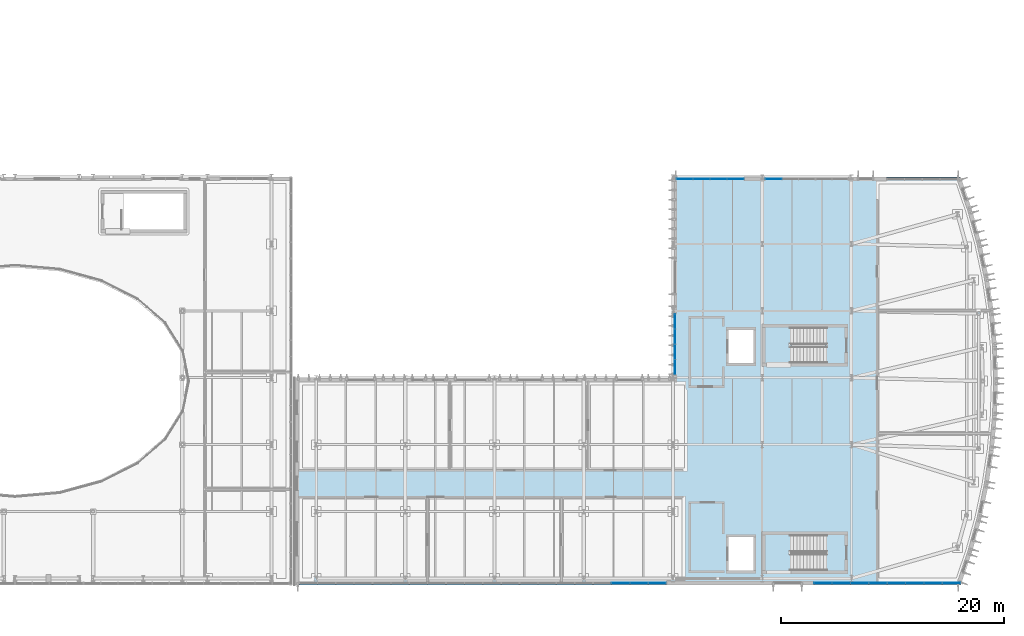
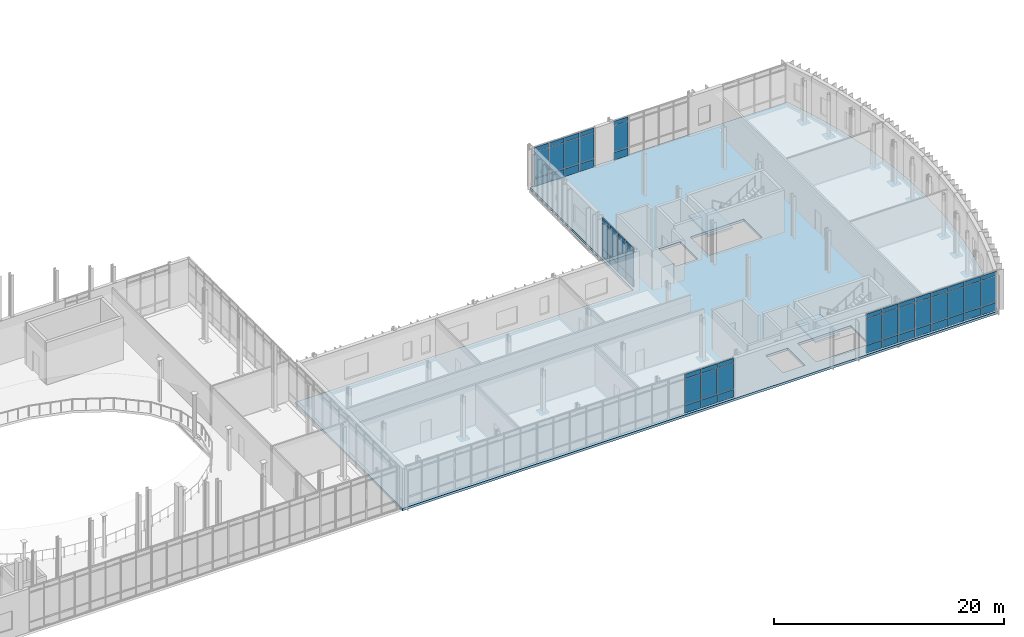
# One storey, part 53 of 86: 60 plates, 3 slabs, 8 elements without a shape of their own.
"""IFC4 building model written with IfcOpenShell, lengths in metres."""

import ifcopenshell
import ifcopenshell.guid

model = None  # the IFC model being written
_history = None  # IfcOwnerHistory: only IFC2X3 demands one
_inside = {}  # id of a spatial element -> (the spatial element, [elements in it])
_under = {}  # id of a project, library or spatial element -> (it, [spatial elements below it])
_declared = {}  # id of a project -> (the project, [libraries it declares])
_typed = {}  # id of a type object -> (the type object, [elements of that type])
_made_of = {}  # id of a material, layer set ... -> (it, [elements and type objects made of it])


def new_model(schema):
    """Start an empty IFC model of exactly this schema.

    Asked for "IFC4X3", IfcOpenShell would pick the latest addendum, in which some entities
    have other attributes; the version numbers below select the first issue.
    IFC2X3 requires an IfcOwnerHistory on every rooted entity: one is made here for all.
    """
    global model, _history
    if schema == "IFC4X3":
        model = ifcopenshell.file(schema_version=(4, 3, 0, 0))
    else:
        model = ifcopenshell.file(schema=schema)
    _inside.clear()
    _under.clear()
    _declared.clear()
    _typed.clear()
    _made_of.clear()
    _history = None
    if model.schema == "IFC2X3":
        org = make("IfcOrganization", Name="unknown")
        user = make(
            "IfcPersonAndOrganization",
            ThePerson=make("IfcPerson", FamilyName="unknown"),
            TheOrganization=org,
        )
        app = make(
            "IfcApplication",
            ApplicationDeveloper=org,
            Version="unknown",
            ApplicationFullName="unknown",
            ApplicationIdentifier="unknown",
        )
        _history = make(
            "IfcOwnerHistory",
            OwningUser=user,
            OwningApplication=app,
            ChangeAction="ADDED",
            CreationDate=0,
        )
    return model


def make(cls, **values):
    """One entity of the class cls with the attributes given. An attribute that is None is left unset."""
    return model.create_entity(
        cls, **{name: value for name, value in values.items() if value is not None}
    )


def rooted(cls, **values):
    """An entity with a GlobalId (a new one), such as an element, a storey or a relation."""
    return make(cls, GlobalId=ifcopenshell.guid.new(), OwnerHistory=_history, **values)


def si_unit(unit_type, name, prefix=None):
    """IfcSIUnit, for example si_unit("LENGTHUNIT", "METRE", prefix="MILLI")."""
    return make("IfcSIUnit", UnitType=unit_type, Prefix=prefix, Name=name)


def assignment(units):
    """IfcUnitAssignment: the units of a project."""
    return None if units is None else make("IfcUnitAssignment", Units=units)


def point(xyz):
    """IfcCartesianPoint."""
    return None if xyz is None else make("IfcCartesianPoint", Coordinates=xyz)


def direction(xyz):
    """IfcDirection."""
    return None if xyz is None else make("IfcDirection", DirectionRatios=xyz)


def frame(location, z_axis=None, x_axis=None):
    """IfcAxis2Placement3D, a coordinate frame: its origin and axes. An axis left out is left unset."""
    return make(
        "IfcAxis2Placement3D",
        Location=point(location),
        Axis=direction(z_axis),
        RefDirection=direction(x_axis),
    )


def frame_2d(location, x_axis=None):
    """IfcAxis2Placement2D, a coordinate frame in the plane: its origin and x axis."""
    return make(
        "IfcAxis2Placement2D", Location=point(location), RefDirection=direction(x_axis)
    )


def origin():
    """The frame at (0, 0, 0) with its axes left unset."""
    return frame((0.0, 0.0, 0.0))


def origin_2d():
    """The frame at (0, 0) in the plane with its x axis left unset."""
    return frame_2d((0.0, 0.0))


def place(relative_to, where):
    """IfcLocalPlacement: puts the frame where relative to a parent placement (None: the world)."""
    return make(
        "IfcLocalPlacement", PlacementRelTo=relative_to, RelativePlacement=where
    )


def context(
    kind, dimensions, precision=None, world=None, true_north=None, identifier=None
):
    """IfcGeometricRepresentationContext, for example the 3D "Model" context."""
    return make(
        "IfcGeometricRepresentationContext",
        ContextIdentifier=identifier,
        ContextType=kind,
        CoordinateSpaceDimension=dimensions,
        Precision=precision,
        WorldCoordinateSystem=world,
        TrueNorth=true_north,
    )


def subcontext(parent, identifier, kind, view, scale=None):
    """IfcGeometricRepresentationSubContext, for example "Body" below "Model"."""
    return make(
        "IfcGeometricRepresentationSubContext",
        ContextIdentifier=identifier,
        ContextType=kind,
        ParentContext=parent,
        TargetScale=scale,
        TargetView=view,
    )


def project(units=None, contexts=None):
    """IfcProject with its units and contexts."""
    return rooted(
        "IfcProject",
        Name="project",
        RepresentationContexts=contexts,
        UnitsInContext=assignment(units),
    )


def spatial(cls, under=None, at=None, **own):
    """A site, building, storey or space (cls), placed at a placement, below another one or the project."""
    s = rooted(cls, ObjectPlacement=at, **own)
    if under is not None:
        _under.setdefault(under.id(), (under, []))[1].append(s)
    return s


def polyline(points):
    """IfcPolyline through the points."""
    return make("IfcPolyline", Points=[point(p) for p in points])


def profile(cls, at=None, kind="AREA", **sizes):
    """A parametric profile (cls). Its sizes go by their IFC names, for example OverallWidth=200.0."""
    return make(cls, ProfileType=kind, Position=at, **sizes)


def rectangle(**sizes):
    """IfcRectangleProfileDef."""
    return profile("IfcRectangleProfileDef", **sizes)


def outline(outer, holes=None, kind="AREA"):
    """IfcArbitraryClosedProfileDef: a profile drawn as a closed curve; with holes, ...WithVoids."""
    if holes is None:
        return make("IfcArbitraryClosedProfileDef", ProfileType=kind, OuterCurve=outer)
    return make(
        "IfcArbitraryProfileDefWithVoids",
        ProfileType=kind,
        OuterCurve=outer,
        InnerCurves=holes,
    )


def extrude(swept, where, along, depth):
    """IfcExtrudedAreaSolid: the profile swept, set in the frame where, extruded along a direction by depth."""
    return make(
        "IfcExtrudedAreaSolid",
        SweptArea=swept,
        Position=where,
        ExtrudedDirection=direction(along),
        Depth=depth,
    )


def shape(context_of_items, identifier, shape_type, items):
    """IfcShapeRepresentation: the items that make up one representation, for example the "Body"."""
    return make(
        "IfcShapeRepresentation",
        ContextOfItems=context_of_items,
        RepresentationIdentifier=identifier,
        RepresentationType=shape_type,
        Items=items,
    )


def material(Name=None, Category=None):
    """IfcMaterial."""
    return make("IfcMaterial", Name=Name, Category=Category)


def layer(
    of_material, thickness, ventilated=None, Name=None, Category=None, Priority=None
):
    """IfcMaterialLayer: one layer of a wall or slab, of a material (None: an air gap)."""
    return make(
        "IfcMaterialLayer",
        Material=of_material,
        LayerThickness=thickness,
        IsVentilated=ventilated,
        Name=Name,
        Category=Category,
        Priority=Priority,
    )


def layer_set(layers, Name=None):
    """IfcMaterialLayerSet."""
    return make("IfcMaterialLayerSet", MaterialLayers=layers, LayerSetName=Name)


def made_of(thing, what):
    """Note that an element or type object is made of a material, layer set ...; save() writes the relation."""
    if what is not None:
        _made_of.setdefault(what.id(), (what, []))[1].append(thing)
    return thing


def type_object(cls, material=None, **own):
    """A type object (cls), such as IfcWallType, which elements share."""
    return made_of(rooted(cls, **own), material)


def element(
    cls,
    number,
    at=None,
    inside=None,
    cuts=None,
    type_object=None,
    material=None,
    context=None,
    identifier="Body",
    shape_type=None,
    held_by="IfcProductDefinitionShape",
    body=None,
    shapes=None,
    **own,
):
    """One element of the class cls, such as IfcWall. Its Tag is "e" and its number.

    at: its placement. inside: the storey or other place that contains it. cuts: it is an
    opening in that element (IfcRelVoidsElement). A single representation is given by context,
    identifier, shape_type and body (its items); several are given by shapes. held_by: the class
    of the entity that holds the representations. save() writes the other relations.
    """
    e = rooted(cls, Tag="e%d" % number, ObjectPlacement=at, **own)
    if body is not None:
        shapes = [shape(context, identifier, shape_type, body)]
    if shapes is not None:
        e.Representation = make(held_by, Representations=shapes)
    if inside is not None:
        _inside.setdefault(inside.id(), (inside, []))[1].append(e)
    if cuts is not None:
        rooted(
            "IfcRelVoidsElement", RelatingBuildingElement=cuts, RelatedOpeningElement=e
        )
    if type_object is not None:
        _typed.setdefault(type_object.id(), (type_object, []))[1].append(e)
    return made_of(e, material)


def aggregate(whole, parts):
    """IfcRelAggregates: a whole, such as a stair, and the parts it consists of."""
    return rooted("IfcRelAggregates", RelatingObject=whole, RelatedObjects=parts)


def save(model, path):
    """Write the relations noted so far, then the file.

    IfcRelAggregates (storeys below a building ...), IfcRelContainedInSpatialStructure (elements
    in a storey), IfcRelDefinesByType, IfcRelAssociatesMaterial and IfcRelDeclares: one each for
    every whole, place, type object, material and project.
    """
    for whole, parts in _under.values():
        aggregate(whole, parts)
    for where, things in _inside.values():
        rooted(
            "IfcRelContainedInSpatialStructure",
            RelatedElements=things,
            RelatingStructure=where,
        )
    for kind, things in _typed.values():
        rooted("IfcRelDefinesByType", RelatedObjects=things, RelatingType=kind)
    for what, things in _made_of.values():
        rooted("IfcRelAssociatesMaterial", RelatedObjects=things, RelatingMaterial=what)
    for by, libraries in _declared.values():
        rooted("IfcRelDeclares", RelatingContext=by, RelatedDefinitions=libraries)
    model.write(path)


model = new_model("IFC4")

# Units and contexts
model_context = context("Model", 3, precision=1e-05, world=origin(), true_north=direction((0.0, 1.0)))
body_context = subcontext(model_context, "Body", "Model", "MODEL_VIEW")
ifc_project = project(units=[si_unit("LENGTHUNIT", "METRE"), si_unit("AREAUNIT", "SQUARE_METRE"), si_unit("VOLUMEUNIT", "CUBIC_METRE"), si_unit("PLANEANGLEUNIT", "RADIAN"), si_unit("MASSUNIT", "GRAM", prefix="KILO")], contexts=[model_context])

# Site, building, storey
site_placement = place(None, origin())
site = spatial("IfcSite", under=ifc_project, at=site_placement, CompositionType="ELEMENT")
building_placement = place(site_placement, origin())
building = spatial("IfcBuilding", under=site, at=building_placement, Name="Cymarion Research Institute", CompositionType="ELEMENT")
storey_placement = place(building_placement, frame((0.0, 0.0, 13.800048828125)))
storey = spatial("IfcBuildingStorey", under=building, at=storey_placement, Name="L03", CompositionType="ELEMENT", Elevation=13.800048828125)

# Slab
ifc_material_1 = material(Name="Concrete C35/45", Category="concrete")
ifc_layer_1 = layer(ifc_material_1, 0.25)
ifc_layer_set_1 = layer_set([ifc_layer_1], Name="Concrete C35/45")
slab_type_1 = type_object("IfcSlabType", Name="COMPOSITE FLOOR SLAB SL-FL250 250MM", PredefinedType="FLOOR", material=ifc_layer_set_1)
slab_1_placement = place(storey_placement, frame((0.0, 0.0, -0.25)))
element("IfcSlab", 1, at=slab_1_placement, inside=storey, type_object=slab_type_1, Name="L03 V1 floor slab", PredefinedType="FLOOR", context=body_context, shape_type="SweptSolid", body=[
    extrude(outline(polyline([(104.699951171875, 4.89990234375), (164.39990234375, 4.89990234375), (165.40869140625, 7.848388671875), (166.2392578125, 10.85205078125), (166.88818359375, 13.900146484375), (167.353271484375, 16.9814453125), (167.633056640625, 20.085205078125), (167.7265625, 23.199951171875), (167.633056640625, 26.31494140625), (167.353271484375, 29.418701171875), (166.88818359375, 32.5), (166.2392578125, 35.5478515625), (165.40869140625, 38.551513671875), (164.39990234375, 41.5), (138.60009765625, 41.5), (138.60009765625, 23.5), (104.699951171875, 23.5), (104.699951171875, 4.89990234375)]), holes=[polyline([(152.260009765625, 9.39990234375), (146.89990234375, 9.39990234375), (146.89990234375, 6.199951171875), (152.260009765625, 6.199951171875), (152.260009765625, 9.39990234375)]), polyline([(143.60009765625, 6.199951171875), (145.800048828125, 6.199951171875), (145.800048828125, 9.199951171875), (143.60009765625, 9.199951171875), (143.60009765625, 6.199951171875)]), polyline([(152.260009765625, 28.0), (146.89990234375, 28.0), (146.89990234375, 24.800048828125), (152.260009765625, 24.800048828125), (152.260009765625, 28.0)]), polyline([(143.60009765625, 24.800048828125), (145.800048828125, 24.800048828125), (145.800048828125, 27.800048828125), (143.60009765625, 27.800048828125), (143.60009765625, 24.800048828125)])]), origin(), (0.0, 0.0, 1.0), 0.25),
])

# Curtain wall, plates
ifc_material_2 = material(Name="Anodised aluminium unitised curtain wall with Low-E glazing", Category="aluminium")
curtain_wall_type_1 = type_object("IfcCurtainWallType", Name="UNITISED CURTAIN WALL CW26 6590X4240", PredefinedType="NOTDEFINED", material=ifc_material_2)
curtain_wall_1_placement = place(storey_placement, origin())
curtain_wall_1 = element("IfcCurtainWall", 2, at=curtain_wall_1_placement, inside=storey, type_object=curtain_wall_type_1, Name="L03 V1 unitised curtain wall CW26 #123", PredefinedType="NOTDEFINED")
ifc_material_3 = material(Name="Insulated anodised aluminium spandrel panel", Category="aluminium")
ifc_layer_2 = layer(ifc_material_3, 0.06005859375)
ifc_layer_set_2 = layer_set([ifc_layer_2], Name="Insulated anodised aluminium spandrel panel")
plate_type_1 = type_object("IfcPlateType", Name="INSULATED ALUMINIUM SPANDREL PANEL SP01 60MM", PredefinedType="SHEET", material=ifc_layer_set_2)
plate_1_placement = place(storey_placement, frame((133.90673828125, 5.090087890625, 0.059814453125), z_axis=(0.0, 0.0, 1.0), x_axis=(1.0, 0.0, 0.0)))
plate_1 = element("IfcPlate", 3, at=plate_1_placement, type_object=plate_type_1, Name="CW26 panel 2.1", PredefinedType="SHEET", context=body_context, shape_type="SweptSolid", body=[
    extrude(rectangle(XDim=1.58837890625, YDim=0.06005859375, at=origin_2d()), origin(), (0.0, 0.0, 1.0), 0.81005859375),
])
plate_2_placement = place(storey_placement, frame((133.90673828125, 5.090087890625, 3.719970703125), z_axis=(0.0, 0.0, 1.0), x_axis=(1.0, 0.0, 0.0)))
plate_2 = element("IfcPlate", 4, at=plate_2_placement, type_object=plate_type_1, Name="CW26 panel 2.3", PredefinedType="SHEET", context=body_context, shape_type="SweptSolid", body=[
    extrude(rectangle(XDim=1.58837890625, YDim=0.06005859375, at=origin_2d()), origin(), (0.0, 0.0, 1.0), 0.4599609375),
])
plate_3_placement = place(storey_placement, frame((135.55517578125, 5.090087890625, 0.059814453125), z_axis=(0.0, 0.0, 1.0), x_axis=(1.0, 0.0, 0.0)))
plate_3 = element("IfcPlate", 5, at=plate_3_placement, type_object=plate_type_1, Name="CW26 panel 3.1", PredefinedType="SHEET", context=body_context, shape_type="SweptSolid", body=[
    extrude(rectangle(XDim=1.58837890625, YDim=0.06005859375, at=origin_2d()), origin(), (0.0, 0.0, 1.0), 0.81005859375),
])
plate_4_placement = place(storey_placement, frame((135.55517578125, 5.090087890625, 3.719970703125), z_axis=(0.0, 0.0, 1.0), x_axis=(1.0, 0.0, 0.0)))
plate_4 = element("IfcPlate", 6, at=plate_4_placement, type_object=plate_type_1, Name="CW26 panel 3.3", PredefinedType="SHEET", context=body_context, shape_type="SweptSolid", body=[
    extrude(rectangle(XDim=1.58837890625, YDim=0.06005859375, at=origin_2d()), origin(), (0.0, 0.0, 1.0), 0.4599609375),
])
plate_5_placement = place(storey_placement, frame((137.1884765625, 5.090087890625, 0.059814453125), z_axis=(0.0, 0.0, 1.0), x_axis=(1.0, 0.0, 0.0)))
plate_5 = element("IfcPlate", 7, at=plate_5_placement, type_object=plate_type_1, Name="CW26 panel 4.1", PredefinedType="SHEET", context=body_context, shape_type="SweptSolid", body=[
    extrude(rectangle(XDim=1.558349609375, YDim=0.06005859375, at=origin_2d()), origin(), (0.0, 0.0, 1.0), 0.81005859375),
])
plate_6_placement = place(storey_placement, frame((137.1884765625, 5.090087890625, 3.719970703125), z_axis=(0.0, 0.0, 1.0), x_axis=(1.0, 0.0, 0.0)))
plate_6 = element("IfcPlate", 8, at=plate_6_placement, type_object=plate_type_1, Name="CW26 panel 4.3", PredefinedType="SHEET", context=body_context, shape_type="SweptSolid", body=[
    extrude(rectangle(XDim=1.558349609375, YDim=0.06005859375, at=origin_2d()), origin(), (0.0, 0.0, 1.0), 0.4599609375),
])

curtain_wall_2_placement = place(storey_placement, origin())
curtain_wall_2 = element("IfcCurtainWall", 9, at=curtain_wall_2_placement, inside=storey, type_object=curtain_wall_type_1, Name="L03 V1 unitised curtain wall CW26 #124", PredefinedType="NOTDEFINED")
plate_7_placement = place(storey_placement, frame((152.052978515625, 5.090087890625, 0.059814453125), z_axis=(0.0, 0.0, 1.0), x_axis=(1.0, 0.0, 0.0)))
plate_7 = element("IfcPlate", 10, at=plate_7_placement, type_object=plate_type_1, Name="CW26 panel 1.1", PredefinedType="SHEET", context=body_context, shape_type="SweptSolid", body=[
    extrude(rectangle(XDim=1.558349609375, YDim=0.06005859375, at=origin_2d()), origin(), (0.0, 0.0, 1.0), 0.81005859375),
])
plate_8_placement = place(storey_placement, frame((152.052978515625, 5.090087890625, 3.719970703125), z_axis=(0.0, 0.0, 1.0), x_axis=(1.0, 0.0, 0.0)))
plate_8 = element("IfcPlate", 11, at=plate_8_placement, type_object=plate_type_1, Name="CW26 panel 1.3", PredefinedType="SHEET", context=body_context, shape_type="SweptSolid", body=[
    extrude(rectangle(XDim=1.558349609375, YDim=0.06005859375, at=origin_2d()), origin(), (0.0, 0.0, 1.0), 0.4599609375),
])
plate_9_placement = place(storey_placement, frame((153.686279296875, 5.090087890625, 0.059814453125), z_axis=(0.0, 0.0, 1.0), x_axis=(1.0, 0.0, 0.0)))
plate_9 = element("IfcPlate", 12, at=plate_9_placement, type_object=plate_type_1, Name="CW26 panel 2.1", PredefinedType="SHEET", context=body_context, shape_type="SweptSolid", body=[
    extrude(rectangle(XDim=1.58837890625, YDim=0.06005859375, at=origin_2d()), origin(), (0.0, 0.0, 1.0), 0.81005859375),
])
plate_10_placement = place(storey_placement, frame((153.686279296875, 5.090087890625, 3.719970703125), z_axis=(0.0, 0.0, 1.0), x_axis=(1.0, 0.0, 0.0)))
plate_10 = element("IfcPlate", 13, at=plate_10_placement, type_object=plate_type_1, Name="CW26 panel 2.3", PredefinedType="SHEET", context=body_context, shape_type="SweptSolid", body=[
    extrude(rectangle(XDim=1.58837890625, YDim=0.06005859375, at=origin_2d()), origin(), (0.0, 0.0, 1.0), 0.4599609375),
])
plate_11_placement = place(storey_placement, frame((155.33447265625, 5.090087890625, 0.059814453125), z_axis=(0.0, 0.0, 1.0), x_axis=(1.0, 0.0, 0.0)))
plate_11 = element("IfcPlate", 14, at=plate_11_placement, type_object=plate_type_1, Name="CW26 panel 3.1", PredefinedType="SHEET", context=body_context, shape_type="SweptSolid", body=[
    extrude(rectangle(XDim=1.58837890625, YDim=0.06005859375, at=origin_2d()), origin(), (0.0, 0.0, 1.0), 0.81005859375),
])
plate_12_placement = place(storey_placement, frame((155.33447265625, 5.090087890625, 3.719970703125), z_axis=(0.0, 0.0, 1.0), x_axis=(1.0, 0.0, 0.0)))
plate_12 = element("IfcPlate", 15, at=plate_12_placement, type_object=plate_type_1, Name="CW26 panel 3.3", PredefinedType="SHEET", context=body_context, shape_type="SweptSolid", body=[
    extrude(rectangle(XDim=1.58837890625, YDim=0.06005859375, at=origin_2d()), origin(), (0.0, 0.0, 1.0), 0.4599609375),
])
plate_13_placement = place(storey_placement, frame((156.9677734375, 5.090087890625, 0.059814453125), z_axis=(0.0, 0.0, 1.0), x_axis=(1.0, 0.0, 0.0)))
plate_13 = element("IfcPlate", 16, at=plate_13_placement, type_object=plate_type_1, Name="CW26 panel 4.1", PredefinedType="SHEET", context=body_context, shape_type="SweptSolid", body=[
    extrude(rectangle(XDim=1.558349609375, YDim=0.06005859375, at=origin_2d()), origin(), (0.0, 0.0, 1.0), 0.81005859375),
])
plate_14_placement = place(storey_placement, frame((156.9677734375, 5.090087890625, 3.719970703125), z_axis=(0.0, 0.0, 1.0), x_axis=(1.0, 0.0, 0.0)))
plate_14 = element("IfcPlate", 17, at=plate_14_placement, type_object=plate_type_1, Name="CW26 panel 4.3", PredefinedType="SHEET", context=body_context, shape_type="SweptSolid", body=[
    extrude(rectangle(XDim=1.558349609375, YDim=0.06005859375, at=origin_2d()), origin(), (0.0, 0.0, 1.0), 0.4599609375),
])

curtain_wall_3_placement = place(storey_placement, origin())
curtain_wall_3 = element("IfcCurtainWall", 18, at=curtain_wall_3_placement, inside=storey, type_object=curtain_wall_type_1, Name="L03 V1 unitised curtain wall CW26 #125", PredefinedType="NOTDEFINED")
plate_15_placement = place(storey_placement, frame((158.64599609375, 5.090087890625, 0.059814453125), z_axis=(0.0, 0.0, 1.0), x_axis=(1.0, 0.0, 0.0)))
plate_15 = element("IfcPlate", 19, at=plate_15_placement, type_object=plate_type_1, Name="CW26 panel 1.1", PredefinedType="SHEET", context=body_context, shape_type="SweptSolid", body=[
    extrude(rectangle(XDim=1.558349609375, YDim=0.06005859375, at=origin_2d()), origin(), (0.0, 0.0, 1.0), 0.81005859375),
])
plate_16_placement = place(storey_placement, frame((158.64599609375, 5.090087890625, 3.719970703125), z_axis=(0.0, 0.0, 1.0), x_axis=(1.0, 0.0, 0.0)))
plate_16 = element("IfcPlate", 20, at=plate_16_placement, type_object=plate_type_1, Name="CW26 panel 1.3", PredefinedType="SHEET", context=body_context, shape_type="SweptSolid", body=[
    extrude(rectangle(XDim=1.558349609375, YDim=0.06005859375, at=origin_2d()), origin(), (0.0, 0.0, 1.0), 0.4599609375),
])
plate_17_placement = place(storey_placement, frame((160.279296875, 5.090087890625, 0.059814453125), z_axis=(0.0, 0.0, 1.0), x_axis=(1.0, 0.0, 0.0)))
plate_17 = element("IfcPlate", 21, at=plate_17_placement, type_object=plate_type_1, Name="CW26 panel 2.1", PredefinedType="SHEET", context=body_context, shape_type="SweptSolid", body=[
    extrude(rectangle(XDim=1.58837890625, YDim=0.06005859375, at=origin_2d()), origin(), (0.0, 0.0, 1.0), 0.81005859375),
])
plate_18_placement = place(storey_placement, frame((160.279296875, 5.090087890625, 3.719970703125), z_axis=(0.0, 0.0, 1.0), x_axis=(1.0, 0.0, 0.0)))
plate_18 = element("IfcPlate", 22, at=plate_18_placement, type_object=plate_type_1, Name="CW26 panel 2.3", PredefinedType="SHEET", context=body_context, shape_type="SweptSolid", body=[
    extrude(rectangle(XDim=1.58837890625, YDim=0.06005859375, at=origin_2d()), origin(), (0.0, 0.0, 1.0), 0.4599609375),
])
plate_19_placement = place(storey_placement, frame((161.927490234375, 5.090087890625, 0.059814453125), z_axis=(0.0, 0.0, 1.0), x_axis=(1.0, 0.0, 0.0)))
plate_19 = element("IfcPlate", 23, at=plate_19_placement, type_object=plate_type_1, Name="CW26 panel 3.1", PredefinedType="SHEET", context=body_context, shape_type="SweptSolid", body=[
    extrude(rectangle(XDim=1.58837890625, YDim=0.06005859375, at=origin_2d()), origin(), (0.0, 0.0, 1.0), 0.81005859375),
])
plate_20_placement = place(storey_placement, frame((161.927490234375, 5.090087890625, 3.719970703125), z_axis=(0.0, 0.0, 1.0), x_axis=(1.0, 0.0, 0.0)))
plate_20 = element("IfcPlate", 24, at=plate_20_placement, type_object=plate_type_1, Name="CW26 panel 3.3", PredefinedType="SHEET", context=body_context, shape_type="SweptSolid", body=[
    extrude(rectangle(XDim=1.58837890625, YDim=0.06005859375, at=origin_2d()), origin(), (0.0, 0.0, 1.0), 0.4599609375),
])
plate_21_placement = place(storey_placement, frame((163.560791015625, 5.090087890625, 0.059814453125), z_axis=(0.0, 0.0, 1.0), x_axis=(1.0, 0.0, 0.0)))
plate_21 = element("IfcPlate", 25, at=plate_21_placement, type_object=plate_type_1, Name="CW26 panel 4.1", PredefinedType="SHEET", context=body_context, shape_type="SweptSolid", body=[
    extrude(rectangle(XDim=1.558349609375, YDim=0.06005859375, at=origin_2d()), origin(), (0.0, 0.0, 1.0), 0.81005859375),
])
plate_22_placement = place(storey_placement, frame((163.560791015625, 5.090087890625, 3.719970703125), z_axis=(0.0, 0.0, 1.0), x_axis=(1.0, 0.0, 0.0)))
plate_22 = element("IfcPlate", 26, at=plate_22_placement, type_object=plate_type_1, Name="CW26 panel 4.3", PredefinedType="SHEET", context=body_context, shape_type="SweptSolid", body=[
    extrude(rectangle(XDim=1.558349609375, YDim=0.06005859375, at=origin_2d()), origin(), (0.0, 0.0, 1.0), 0.4599609375),
])

curtain_wall_type_2 = type_object("IfcCurtainWallType", Name="UNITISED CURTAIN WALL CW04 4510X4250", PredefinedType="NOTDEFINED", material=ifc_material_2)
curtain_wall_4_placement = place(storey_placement, origin())
curtain_wall_4 = element("IfcCurtainWall", 27, at=curtain_wall_4_placement, inside=storey, type_object=curtain_wall_type_2, Name="L03 V1 unitised curtain wall CW04 #128", PredefinedType="NOTDEFINED")
plate_23_placement = place(storey_placement, frame((147.627197265625, 41.31005859375, 0.059814453125), z_axis=(0.0, 0.0, 1.0), x_axis=(-1.0, 0.0, 0.0)))
plate_23 = element("IfcPlate", 28, at=plate_23_placement, type_object=plate_type_1, Name="CW04 panel 3.1", PredefinedType="SHEET", context=body_context, shape_type="SweptSolid", body=[
    extrude(rectangle(XDim=1.414306640625, YDim=0.06005859375, at=origin_2d()), origin(), (0.0, 0.0, 1.0), 0.81005859375),
])
plate_24_placement = place(storey_placement, frame((147.627197265625, 41.31005859375, 3.72998046875), z_axis=(0.0, 0.0, 1.0), x_axis=(-1.0, 0.0, 0.0)))
plate_24 = element("IfcPlate", 29, at=plate_24_placement, type_object=plate_type_1, Name="CW04 panel 3.3", PredefinedType="SHEET", context=body_context, shape_type="SweptSolid", body=[
    extrude(rectangle(XDim=1.414306640625, YDim=0.06005859375, at=origin_2d()), origin(), (0.0, 0.0, 1.0), 0.4599609375),
])

curtain_wall_type_3 = type_object("IfcCurtainWallType", Name="UNITISED CURTAIN WALL CW05 6130X4250", PredefinedType="NOTDEFINED", material=ifc_material_2)
curtain_wall_5_placement = place(storey_placement, origin())
curtain_wall_5 = element("IfcCurtainWall", 30, at=curtain_wall_5_placement, inside=storey, type_object=curtain_wall_type_3, Name="L03 V1 unitised curtain wall CW05 #129", PredefinedType="NOTDEFINED")
plate_25_placement = place(storey_placement, frame((144.205810546875, 41.31005859375, 0.059814453125), z_axis=(0.0, 0.0, 1.0), x_axis=(-1.0, 0.0, 0.0)))
plate_25 = element("IfcPlate", 31, at=plate_25_placement, type_object=plate_type_1, Name="CW05 panel 1.1", PredefinedType="SHEET", context=body_context, shape_type="SweptSolid", body=[
    extrude(rectangle(XDim=1.441650390625, YDim=0.06005859375, at=origin_2d()), origin(), (0.0, 0.0, 1.0), 0.81005859375),
])
plate_26_placement = place(storey_placement, frame((144.205810546875, 41.31005859375, 3.72998046875), z_axis=(0.0, 0.0, 1.0), x_axis=(-1.0, 0.0, 0.0)))
plate_26 = element("IfcPlate", 32, at=plate_26_placement, type_object=plate_type_1, Name="CW05 panel 1.3", PredefinedType="SHEET", context=body_context, shape_type="SweptSolid", body=[
    extrude(rectangle(XDim=1.441650390625, YDim=0.06005859375, at=origin_2d()), origin(), (0.0, 0.0, 1.0), 0.4599609375),
])
plate_27_placement = place(storey_placement, frame((142.689208984375, 41.31005859375, 0.059814453125), z_axis=(0.0, 0.0, 1.0), x_axis=(-1.0, 0.0, 0.0)))
plate_27 = element("IfcPlate", 33, at=plate_27_placement, type_object=plate_type_1, Name="CW05 panel 2.1", PredefinedType="SHEET", context=body_context, shape_type="SweptSolid", body=[
    extrude(rectangle(XDim=1.4716796875, YDim=0.06005859375, at=origin_2d()), origin(), (0.0, 0.0, 1.0), 0.81005859375),
])
plate_28_placement = place(storey_placement, frame((142.689208984375, 41.31005859375, 3.72998046875), z_axis=(0.0, 0.0, 1.0), x_axis=(-1.0, 0.0, 0.0)))
plate_28 = element("IfcPlate", 34, at=plate_28_placement, type_object=plate_type_1, Name="CW05 panel 2.3", PredefinedType="SHEET", context=body_context, shape_type="SweptSolid", body=[
    extrude(rectangle(XDim=1.4716796875, YDim=0.06005859375, at=origin_2d()), origin(), (0.0, 0.0, 1.0), 0.4599609375),
])
plate_29_placement = place(storey_placement, frame((141.157470703125, 41.31005859375, 0.059814453125), z_axis=(0.0, 0.0, 1.0), x_axis=(-1.0, 0.0, 0.0)))
plate_29 = element("IfcPlate", 35, at=plate_29_placement, type_object=plate_type_1, Name="CW05 panel 3.1", PredefinedType="SHEET", context=body_context, shape_type="SweptSolid", body=[
    extrude(rectangle(XDim=1.4716796875, YDim=0.06005859375, at=origin_2d()), origin(), (0.0, 0.0, 1.0), 0.81005859375),
])
plate_30_placement = place(storey_placement, frame((141.157470703125, 41.31005859375, 3.72998046875), z_axis=(0.0, 0.0, 1.0), x_axis=(-1.0, 0.0, 0.0)))
plate_30 = element("IfcPlate", 36, at=plate_30_placement, type_object=plate_type_1, Name="CW05 panel 3.3", PredefinedType="SHEET", context=body_context, shape_type="SweptSolid", body=[
    extrude(rectangle(XDim=1.4716796875, YDim=0.06005859375, at=origin_2d()), origin(), (0.0, 0.0, 1.0), 0.4599609375),
])
plate_31_placement = place(storey_placement, frame((139.640869140625, 41.31005859375, 0.059814453125), z_axis=(0.0, 0.0, 1.0), x_axis=(-1.0, 0.0, 0.0)))
plate_31 = element("IfcPlate", 37, at=plate_31_placement, type_object=plate_type_1, Name="CW05 panel 4.1", PredefinedType="SHEET", context=body_context, shape_type="SweptSolid", body=[
    extrude(rectangle(XDim=1.441650390625, YDim=0.06005859375, at=origin_2d()), origin(), (0.0, 0.0, 1.0), 0.81005859375),
])
plate_32_placement = place(storey_placement, frame((139.640869140625, 41.31005859375, 3.72998046875), z_axis=(0.0, 0.0, 1.0), x_axis=(-1.0, 0.0, 0.0)))
plate_32 = element("IfcPlate", 38, at=plate_32_placement, type_object=plate_type_1, Name="CW05 panel 4.3", PredefinedType="SHEET", context=body_context, shape_type="SweptSolid", body=[
    extrude(rectangle(XDim=1.441650390625, YDim=0.06005859375, at=origin_2d()), origin(), (0.0, 0.0, 1.0), 0.4599609375),
])

curtain_wall_type_4 = type_object("IfcCurtainWallType", Name="UNITISED CURTAIN WALL CW06 5480X4250", PredefinedType="NOTDEFINED", material=ifc_material_2)
curtain_wall_6_placement = place(storey_placement, origin())
curtain_wall_6 = element("IfcCurtainWall", 39, at=curtain_wall_6_placement, inside=storey, type_object=curtain_wall_type_4, Name="L03 V1 unitised curtain wall CW06 #130", PredefinedType="NOTDEFINED")
plate_33_placement = place(storey_placement, frame((138.7900390625, 28.5400390625, 0.059814453125), z_axis=(0.0, 0.0, 1.0), x_axis=(0.0, -1.0, 0.0)))
plate_33 = element("IfcPlate", 40, at=plate_33_placement, type_object=plate_type_1, Name="CW06 panel 1.1", PredefinedType="SHEET", context=body_context, shape_type="SweptSolid", body=[
    extrude(rectangle(XDim=1.280029296875, YDim=0.06005859375, at=origin_2d()), origin(), (0.0, 0.0, 1.0), 0.81005859375),
])
plate_34_placement = place(storey_placement, frame((138.7900390625, 28.5400390625, 3.72998046875), z_axis=(0.0, 0.0, 1.0), x_axis=(0.0, -1.0, 0.0)))
plate_34 = element("IfcPlate", 41, at=plate_34_placement, type_object=plate_type_1, Name="CW06 panel 1.3", PredefinedType="SHEET", context=body_context, shape_type="SweptSolid", body=[
    extrude(rectangle(XDim=1.280029296875, YDim=0.06005859375, at=origin_2d()), origin(), (0.0, 0.0, 1.0), 0.4599609375),
])
plate_35_placement = place(storey_placement, frame((138.7900390625, 27.18505859375, 0.059814453125), z_axis=(0.0, 0.0, 1.0), x_axis=(0.0, -1.0, 0.0)))
plate_35 = element("IfcPlate", 42, at=plate_35_placement, type_object=plate_type_1, Name="CW06 panel 2.1", PredefinedType="SHEET", context=body_context, shape_type="SweptSolid", body=[
    extrude(rectangle(XDim=1.31005859375, YDim=0.06005859375, at=origin_2d()), origin(), (0.0, 0.0, 1.0), 0.81005859375),
])
plate_36_placement = place(storey_placement, frame((138.7900390625, 27.18505859375, 3.72998046875), z_axis=(0.0, 0.0, 1.0), x_axis=(0.0, -1.0, 0.0)))
plate_36 = element("IfcPlate", 43, at=plate_36_placement, type_object=plate_type_1, Name="CW06 panel 2.3", PredefinedType="SHEET", context=body_context, shape_type="SweptSolid", body=[
    extrude(rectangle(XDim=1.31005859375, YDim=0.06005859375, at=origin_2d()), origin(), (0.0, 0.0, 1.0), 0.4599609375),
])
plate_37_placement = place(storey_placement, frame((138.7900390625, 25.81494140625, 0.059814453125), z_axis=(0.0, 0.0, 1.0), x_axis=(0.0, -1.0, 0.0)))
plate_37 = element("IfcPlate", 44, at=plate_37_placement, type_object=plate_type_1, Name="CW06 panel 3.1", PredefinedType="SHEET", context=body_context, shape_type="SweptSolid", body=[
    extrude(rectangle(XDim=1.31005859375, YDim=0.06005859375, at=origin_2d()), origin(), (0.0, 0.0, 1.0), 0.81005859375),
])
plate_38_placement = place(storey_placement, frame((138.7900390625, 25.81494140625, 3.72998046875), z_axis=(0.0, 0.0, 1.0), x_axis=(0.0, -1.0, 0.0)))
plate_38 = element("IfcPlate", 45, at=plate_38_placement, type_object=plate_type_1, Name="CW06 panel 3.3", PredefinedType="SHEET", context=body_context, shape_type="SweptSolid", body=[
    extrude(rectangle(XDim=1.31005859375, YDim=0.06005859375, at=origin_2d()), origin(), (0.0, 0.0, 1.0), 0.4599609375),
])
plate_39_placement = place(storey_placement, frame((138.7900390625, 24.4599609375, 0.059814453125), z_axis=(0.0, 0.0, 1.0), x_axis=(0.0, -1.0, 0.0)))
plate_39 = element("IfcPlate", 46, at=plate_39_placement, type_object=plate_type_1, Name="CW06 panel 4.1", PredefinedType="SHEET", context=body_context, shape_type="SweptSolid", body=[
    extrude(rectangle(XDim=1.280029296875, YDim=0.06005859375, at=origin_2d()), origin(), (0.0, 0.0, 1.0), 0.81005859375),
])
plate_40_placement = place(storey_placement, frame((138.7900390625, 24.4599609375, 3.72998046875), z_axis=(0.0, 0.0, 1.0), x_axis=(0.0, -1.0, 0.0)))
plate_40 = element("IfcPlate", 47, at=plate_40_placement, type_object=plate_type_1, Name="CW06 panel 4.3", PredefinedType="SHEET", context=body_context, shape_type="SweptSolid", body=[
    extrude(rectangle(XDim=1.280029296875, YDim=0.06005859375, at=origin_2d()), origin(), (0.0, 0.0, 1.0), 0.4599609375),
])

# Stair, slab
stair_type = type_object("IfcStairType", Name="REINFORCED CONCRETE DOGLEG STAIR STR-4500", PredefinedType="HALF_TURN_STAIR", material=ifc_material_1)
stair_1_placement = place(storey_placement, origin())
stair_1 = element("IfcStair", 48, at=stair_1_placement, inside=storey, type_object=stair_type, Name="L03 Core C1 Smoke-Proof Exit Stair ST1", PredefinedType="HALF_TURN_STAIR")
ifc_layer_3 = layer(ifc_material_1, 0.199951171875)
ifc_layer_set_3 = layer_set([ifc_layer_3], Name="Concrete C35/45")
slab_type_2 = type_object("IfcSlabType", Name="REINFORCED CONCRETE STAIR LANDING LDG200", PredefinedType="LANDING", material=ifc_layer_set_3)
slab_2_placement = place(storey_placement, frame((0.0, 0.0, 2.050048828125)))
slab_2 = element("IfcSlab", 49, at=slab_2_placement, type_object=slab_type_2, Name="ST1 landing 1", PredefinedType="LANDING", context=body_context, shape_type="SweptSolid", body=[
    extrude(outline(polyline([(149.219970703125, 9.52001953125), (149.219970703125, 6.080078125), (146.780029296875, 6.080078125), (146.780029296875, 9.52001953125), (149.219970703125, 9.52001953125)])), origin(), (0.0, 0.0, 1.0), 0.199951171875),
])
aggregate(stair_1, [slab_2])

stair_2_placement = place(storey_placement, origin())
stair_2 = element("IfcStair", 50, at=stair_2_placement, inside=storey, type_object=stair_type, Name="L03 Core C2 Smoke-Proof Exit Stair ST2", PredefinedType="HALF_TURN_STAIR")
slab_3_placement = place(storey_placement, frame((0.0, 0.0, 2.050048828125)))
slab_3 = element("IfcSlab", 51, at=slab_3_placement, type_object=slab_type_2, Name="ST2 landing 1", PredefinedType="LANDING", context=body_context, shape_type="SweptSolid", body=[
    extrude(outline(polyline([(149.219970703125, 28.1201171875), (149.219970703125, 24.679931640625), (146.780029296875, 24.679931640625), (146.780029296875, 28.1201171875), (149.219970703125, 28.1201171875)])), origin(), (0.0, 0.0, 1.0), 0.199951171875),
])
aggregate(stair_2, [slab_3])

# Plate
ifc_material_4 = material(Name="Low-E double solar-control glazing", Category="glass")
ifc_layer_4 = layer(ifc_material_4, 0.035888671875)
ifc_layer_set_4 = layer_set([ifc_layer_4], Name="Low-E double solar-control glazing")
plate_type_2 = type_object("IfcPlateType", Name="SOLAR CONTROL GLAZED VISION PANEL GP01 36MM", PredefinedType="CURTAIN_PANEL", material=ifc_layer_set_4)
plate_41_placement = place(storey_placement, frame((133.90673828125, 5.090087890625, 0.929931640625), z_axis=(0.0, 0.0, 1.0), x_axis=(1.0, 0.0, 0.0)))
plate_41 = element("IfcPlate", 52, at=plate_41_placement, type_object=plate_type_2, Name="CW26 panel 2.2", PredefinedType="CURTAIN_PANEL", context=body_context, shape_type="SweptSolid", body=[
    extrude(rectangle(XDim=1.58837890625, YDim=0.035888671875, at=origin_2d()), origin(), (0.0, 0.0, 1.0), 2.72998046875),
])

plate_42_placement = place(storey_placement, frame((135.55517578125, 5.090087890625, 0.929931640625), z_axis=(0.0, 0.0, 1.0), x_axis=(1.0, 0.0, 0.0)))
plate_42 = element("IfcPlate", 53, at=plate_42_placement, type_object=plate_type_2, Name="CW26 panel 3.2", PredefinedType="CURTAIN_PANEL", context=body_context, shape_type="SweptSolid", body=[
    extrude(rectangle(XDim=1.58837890625, YDim=0.035888671875, at=origin_2d()), origin(), (0.0, 0.0, 1.0), 2.72998046875),
])

plate_43_placement = place(storey_placement, frame((137.1884765625, 5.090087890625, 0.929931640625), z_axis=(0.0, 0.0, 1.0), x_axis=(1.0, 0.0, 0.0)))
plate_43 = element("IfcPlate", 54, at=plate_43_placement, type_object=plate_type_2, Name="CW26 panel 4.2", PredefinedType="CURTAIN_PANEL", context=body_context, shape_type="SweptSolid", body=[
    extrude(rectangle(XDim=1.558349609375, YDim=0.035888671875, at=origin_2d()), origin(), (0.0, 0.0, 1.0), 2.72998046875),
])

aggregate(curtain_wall_1, [plate_1, plate_41, plate_2, plate_3, plate_42, plate_4, plate_5, plate_43, plate_6])

plate_44_placement = place(storey_placement, frame((152.052978515625, 5.090087890625, 0.929931640625), z_axis=(0.0, 0.0, 1.0), x_axis=(1.0, 0.0, 0.0)))
plate_44 = element("IfcPlate", 55, at=plate_44_placement, type_object=plate_type_2, Name="CW26 panel 1.2", PredefinedType="CURTAIN_PANEL", context=body_context, shape_type="SweptSolid", body=[
    extrude(rectangle(XDim=1.558349609375, YDim=0.035888671875, at=origin_2d()), origin(), (0.0, 0.0, 1.0), 2.72998046875),
])

plate_45_placement = place(storey_placement, frame((153.686279296875, 5.090087890625, 0.929931640625), z_axis=(0.0, 0.0, 1.0), x_axis=(1.0, 0.0, 0.0)))
plate_45 = element("IfcPlate", 56, at=plate_45_placement, type_object=plate_type_2, Name="CW26 panel 2.2", PredefinedType="CURTAIN_PANEL", context=body_context, shape_type="SweptSolid", body=[
    extrude(rectangle(XDim=1.58837890625, YDim=0.035888671875, at=origin_2d()), origin(), (0.0, 0.0, 1.0), 2.72998046875),
])

plate_46_placement = place(storey_placement, frame((155.33447265625, 5.090087890625, 0.929931640625), z_axis=(0.0, 0.0, 1.0), x_axis=(1.0, 0.0, 0.0)))
plate_46 = element("IfcPlate", 57, at=plate_46_placement, type_object=plate_type_2, Name="CW26 panel 3.2", PredefinedType="CURTAIN_PANEL", context=body_context, shape_type="SweptSolid", body=[
    extrude(rectangle(XDim=1.58837890625, YDim=0.035888671875, at=origin_2d()), origin(), (0.0, 0.0, 1.0), 2.72998046875),
])

plate_47_placement = place(storey_placement, frame((156.9677734375, 5.090087890625, 0.929931640625), z_axis=(0.0, 0.0, 1.0), x_axis=(1.0, 0.0, 0.0)))
plate_47 = element("IfcPlate", 58, at=plate_47_placement, type_object=plate_type_2, Name="CW26 panel 4.2", PredefinedType="CURTAIN_PANEL", context=body_context, shape_type="SweptSolid", body=[
    extrude(rectangle(XDim=1.558349609375, YDim=0.035888671875, at=origin_2d()), origin(), (0.0, 0.0, 1.0), 2.72998046875),
])

aggregate(curtain_wall_2, [plate_7, plate_44, plate_8, plate_9, plate_45, plate_10, plate_11, plate_46, plate_12, plate_13, plate_47, plate_14])

plate_48_placement = place(storey_placement, frame((158.64599609375, 5.090087890625, 0.929931640625), z_axis=(0.0, 0.0, 1.0), x_axis=(1.0, 0.0, 0.0)))
plate_48 = element("IfcPlate", 59, at=plate_48_placement, type_object=plate_type_2, Name="CW26 panel 1.2", PredefinedType="CURTAIN_PANEL", context=body_context, shape_type="SweptSolid", body=[
    extrude(rectangle(XDim=1.558349609375, YDim=0.035888671875, at=origin_2d()), origin(), (0.0, 0.0, 1.0), 2.72998046875),
])

plate_49_placement = place(storey_placement, frame((160.279296875, 5.090087890625, 0.929931640625), z_axis=(0.0, 0.0, 1.0), x_axis=(1.0, 0.0, 0.0)))
plate_49 = element("IfcPlate", 60, at=plate_49_placement, type_object=plate_type_2, Name="CW26 panel 2.2", PredefinedType="CURTAIN_PANEL", context=body_context, shape_type="SweptSolid", body=[
    extrude(rectangle(XDim=1.58837890625, YDim=0.035888671875, at=origin_2d()), origin(), (0.0, 0.0, 1.0), 2.72998046875),
])

plate_50_placement = place(storey_placement, frame((161.927490234375, 5.090087890625, 0.929931640625), z_axis=(0.0, 0.0, 1.0), x_axis=(1.0, 0.0, 0.0)))
plate_50 = element("IfcPlate", 61, at=plate_50_placement, type_object=plate_type_2, Name="CW26 panel 3.2", PredefinedType="CURTAIN_PANEL", context=body_context, shape_type="SweptSolid", body=[
    extrude(rectangle(XDim=1.58837890625, YDim=0.035888671875, at=origin_2d()), origin(), (0.0, 0.0, 1.0), 2.72998046875),
])

plate_51_placement = place(storey_placement, frame((163.560791015625, 5.090087890625, 0.929931640625), z_axis=(0.0, 0.0, 1.0), x_axis=(1.0, 0.0, 0.0)))
plate_51 = element("IfcPlate", 62, at=plate_51_placement, type_object=plate_type_2, Name="CW26 panel 4.2", PredefinedType="CURTAIN_PANEL", context=body_context, shape_type="SweptSolid", body=[
    extrude(rectangle(XDim=1.558349609375, YDim=0.035888671875, at=origin_2d()), origin(), (0.0, 0.0, 1.0), 2.72998046875),
])

aggregate(curtain_wall_3, [plate_15, plate_48, plate_16, plate_17, plate_49, plate_18, plate_19, plate_50, plate_20, plate_21, plate_51, plate_22])

plate_52_placement = place(storey_placement, frame((147.627197265625, 41.31005859375, 0.93017578125), z_axis=(0.0, 0.0, 1.0), x_axis=(-1.0, 0.0, 0.0)))
plate_52 = element("IfcPlate", 63, at=plate_52_placement, type_object=plate_type_2, Name="CW04 panel 3.2", PredefinedType="CURTAIN_PANEL", context=body_context, shape_type="SweptSolid", body=[
    extrude(rectangle(XDim=1.414306640625, YDim=0.035888671875, at=origin_2d()), origin(), (0.0, 0.0, 1.0), 2.739990234375),
])

aggregate(curtain_wall_4, [plate_23, plate_52, plate_24])

plate_53_placement = place(storey_placement, frame((144.205810546875, 41.31005859375, 0.93017578125), z_axis=(0.0, 0.0, 1.0), x_axis=(-1.0, 0.0, 0.0)))
plate_53 = element("IfcPlate", 64, at=plate_53_placement, type_object=plate_type_2, Name="CW05 panel 1.2", PredefinedType="CURTAIN_PANEL", context=body_context, shape_type="SweptSolid", body=[
    extrude(rectangle(XDim=1.441650390625, YDim=0.035888671875, at=origin_2d()), origin(), (0.0, 0.0, 1.0), 2.739990234375),
])

plate_54_placement = place(storey_placement, frame((142.689208984375, 41.31005859375, 0.93017578125), z_axis=(0.0, 0.0, 1.0), x_axis=(-1.0, 0.0, 0.0)))
plate_54 = element("IfcPlate", 65, at=plate_54_placement, type_object=plate_type_2, Name="CW05 panel 2.2", PredefinedType="CURTAIN_PANEL", context=body_context, shape_type="SweptSolid", body=[
    extrude(rectangle(XDim=1.4716796875, YDim=0.035888671875, at=origin_2d()), origin(), (0.0, 0.0, 1.0), 2.739990234375),
])

plate_55_placement = place(storey_placement, frame((141.157470703125, 41.31005859375, 0.93017578125), z_axis=(0.0, 0.0, 1.0), x_axis=(-1.0, 0.0, 0.0)))
plate_55 = element("IfcPlate", 66, at=plate_55_placement, type_object=plate_type_2, Name="CW05 panel 3.2", PredefinedType="CURTAIN_PANEL", context=body_context, shape_type="SweptSolid", body=[
    extrude(rectangle(XDim=1.4716796875, YDim=0.035888671875, at=origin_2d()), origin(), (0.0, 0.0, 1.0), 2.739990234375),
])

plate_56_placement = place(storey_placement, frame((139.640869140625, 41.31005859375, 0.93017578125), z_axis=(0.0, 0.0, 1.0), x_axis=(-1.0, 0.0, 0.0)))
plate_56 = element("IfcPlate", 67, at=plate_56_placement, type_object=plate_type_2, Name="CW05 panel 4.2", PredefinedType="CURTAIN_PANEL", context=body_context, shape_type="SweptSolid", body=[
    extrude(rectangle(XDim=1.441650390625, YDim=0.035888671875, at=origin_2d()), origin(), (0.0, 0.0, 1.0), 2.739990234375),
])

aggregate(curtain_wall_5, [plate_25, plate_53, plate_26, plate_27, plate_54, plate_28, plate_29, plate_55, plate_30, plate_31, plate_56, plate_32])

plate_57_placement = place(storey_placement, frame((138.7900390625, 28.5400390625, 0.93017578125), z_axis=(0.0, 0.0, 1.0), x_axis=(0.0, -1.0, 0.0)))
plate_57 = element("IfcPlate", 68, at=plate_57_placement, type_object=plate_type_2, Name="CW06 panel 1.2", PredefinedType="CURTAIN_PANEL", context=body_context, shape_type="SweptSolid", body=[
    extrude(rectangle(XDim=1.280029296875, YDim=0.035888671875, at=origin_2d()), origin(), (0.0, 0.0, 1.0), 2.739990234375),
])

plate_58_placement = place(storey_placement, frame((138.7900390625, 27.18505859375, 0.93017578125), z_axis=(0.0, 0.0, 1.0), x_axis=(0.0, -1.0, 0.0)))
plate_58 = element("IfcPlate", 69, at=plate_58_placement, type_object=plate_type_2, Name="CW06 panel 2.2", PredefinedType="CURTAIN_PANEL", context=body_context, shape_type="SweptSolid", body=[
    extrude(rectangle(XDim=1.31005859375, YDim=0.035888671875, at=origin_2d()), origin(), (0.0, 0.0, 1.0), 2.739990234375),
])

plate_59_placement = place(storey_placement, frame((138.7900390625, 25.81494140625, 0.93017578125), z_axis=(0.0, 0.0, 1.0), x_axis=(0.0, -1.0, 0.0)))
plate_59 = element("IfcPlate", 70, at=plate_59_placement, type_object=plate_type_2, Name="CW06 panel 3.2", PredefinedType="CURTAIN_PANEL", context=body_context, shape_type="SweptSolid", body=[
    extrude(rectangle(XDim=1.31005859375, YDim=0.035888671875, at=origin_2d()), origin(), (0.0, 0.0, 1.0), 2.739990234375),
])

plate_60_placement = place(storey_placement, frame((138.7900390625, 24.4599609375, 0.93017578125), z_axis=(0.0, 0.0, 1.0), x_axis=(0.0, -1.0, 0.0)))
plate_60 = element("IfcPlate", 71, at=plate_60_placement, type_object=plate_type_2, Name="CW06 panel 4.2", PredefinedType="CURTAIN_PANEL", context=body_context, shape_type="SweptSolid", body=[
    extrude(rectangle(XDim=1.280029296875, YDim=0.035888671875, at=origin_2d()), origin(), (0.0, 0.0, 1.0), 2.739990234375),
])

aggregate(curtain_wall_6, [plate_33, plate_57, plate_34, plate_35, plate_58, plate_36, plate_37, plate_59, plate_38, plate_39, plate_60, plate_40])

save(model, "model.ifc")
